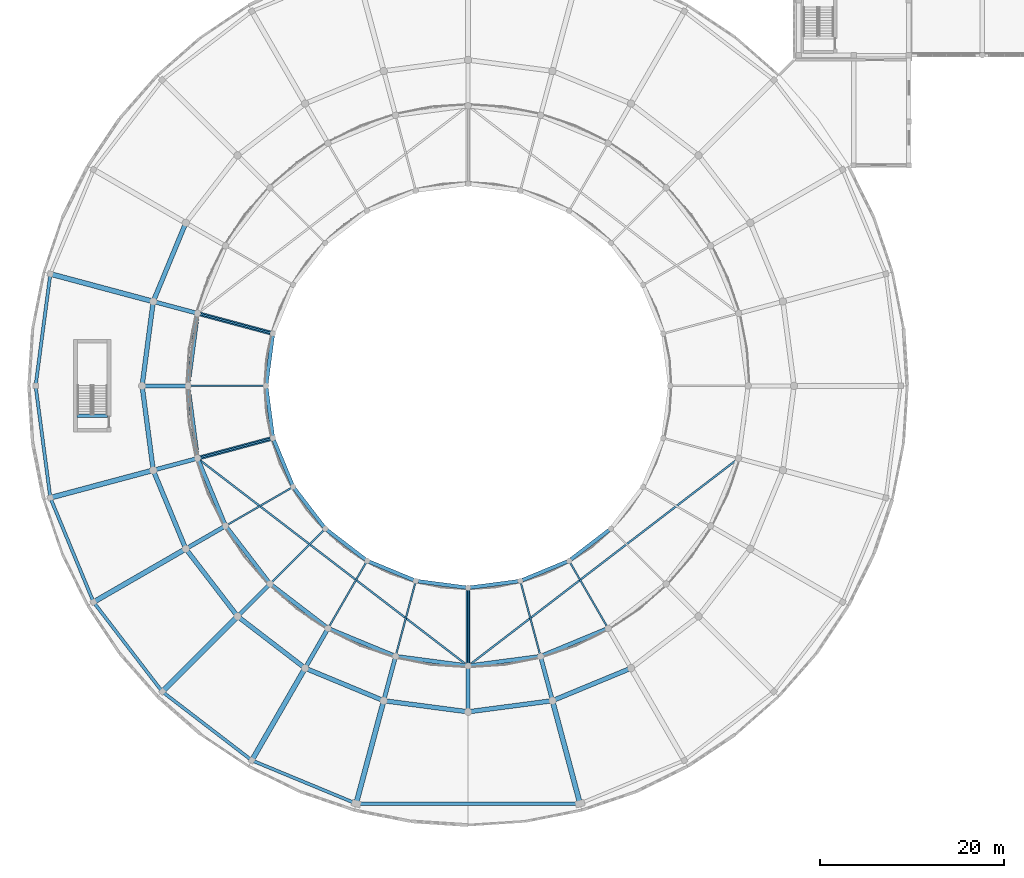
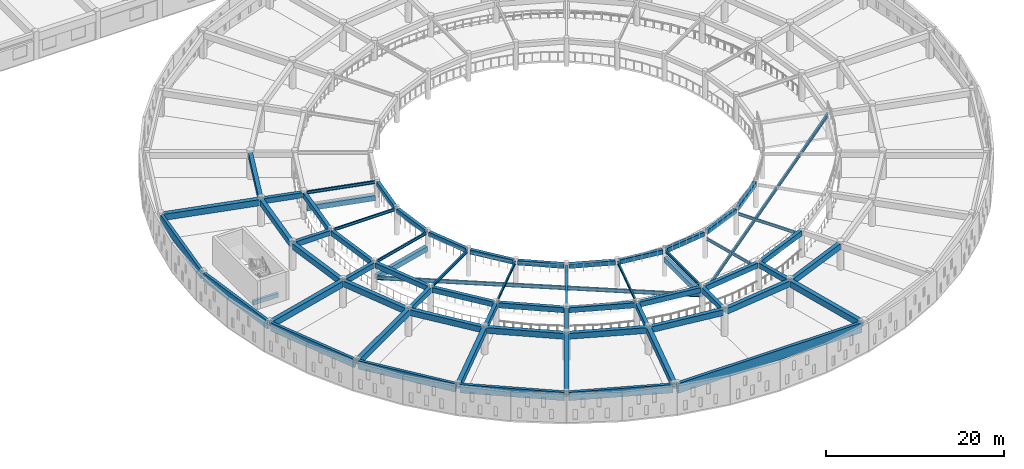
# One storey, part 10 of 98: 68 beams.
"""IFC4 building model written with IfcOpenShell, lengths in metres."""

from ifc_helpers import new_model, si_unit, direction, frame, origin, origin_2d, place, context, subcontext, project, spatial, rectangle, i_section, extrude, material, material_profile, profile_set, type_object, element, save


model = new_model("IFC4")

# Units and contexts
model_context = context("Model", 3, precision=1e-05, world=origin(), true_north=direction((0.0, 1.0)))
body_context = subcontext(model_context, "Body", "Model", "MODEL_VIEW")
ifc_project = project(units=[si_unit("LENGTHUNIT", "METRE"), si_unit("AREAUNIT", "SQUARE_METRE"), si_unit("VOLUMEUNIT", "CUBIC_METRE"), si_unit("PLANEANGLEUNIT", "RADIAN"), si_unit("MASSUNIT", "GRAM", prefix="KILO")], contexts=[model_context])

# Site, building, storey
site_placement = place(None, origin())
site = spatial("IfcSite", under=ifc_project, at=site_placement, CompositionType="ELEMENT")
building_placement = place(site_placement, origin())
building = spatial("IfcBuilding", under=site, at=building_placement, Name="Larkveld Mobility Hub", CompositionType="ELEMENT")
storey_placement = place(building_placement, frame((0.0, 0.0, 4.5)))
storey = spatial("IfcBuildingStorey", under=building, at=storey_placement, Name="L01", CompositionType="ELEMENT", Elevation=4.5)

# Beams
ifc_material_1 = material(Name="Concrete C40/50", Category="concrete")
ifc_material_profile_1 = material_profile(ifc_material_1, rectangle(XDim=0.35009765625, YDim=0.550048828125, at=origin_2d()), Name="RC BM 350x550")
ifc_profile_set_1 = profile_set([ifc_material_profile_1], Name="Concrete C40/50")
beam_type_1 = type_object("IfcBeamType", Name="BM-RC3555", PredefinedType="BEAM", material=ifc_profile_set_1)
beam_1_placement = place(storey_placement, frame((5.429931640625, 44.739990234375, -0.27001953125), z_axis=(1.0, 0.0, 0.0), x_axis=(0.0, 1.0, 0.0)))
element("IfcBeam", 1, at=beam_1_placement, inside=storey, type_object=beam_type_1, Name="Core C7 Stair Header Beam L01", PredefinedType="BEAM", context=body_context, shape_type="SweptSolid", body=[
    extrude(rectangle(XDim=0.35009765625, YDim=0.550048828125, at=origin_2d()), origin(), (0.0, 0.0, 1.0), 3.2900390625),
])
ifc_material_profile_2 = material_profile(ifc_material_1, rectangle(XDim=0.39990234375, YDim=0.60009765625, at=origin_2d()), Name="RC BM 400x600")
ifc_profile_set_2 = profile_set([ifc_material_profile_2], Name="Concrete C40/50")
beam_type_2 = type_object("IfcBeamType", Name="BM-RC4060", PredefinedType="BEAM", material=ifc_profile_set_2)
for number, where, z_axis, x_axis, name in (
    (2, (26.718994140625, 53.4560546875, 3.3349609375), (-0.130717291413, -0.991419683951, 0.0), (0.991419683951, -0.130717291413, 0.0), "Drum Chord Ring Beam L01-1498"),
    (3, (26.031005859375, 47.761962890625, 3.3349609375), (0.130717291413, -0.991419683951, 0.0), (0.991419683951, 0.130717291413, 0.0), "Drum Chord Ring Beam L01-1502"),
):
    element("IfcBeam", number, at=place(storey_placement, frame(where, z_axis=z_axis, x_axis=x_axis)), inside=storey, type_object=beam_type_2, Name=name, PredefinedType="BEAM", context=body_context, shape_type="SweptSolid", body=[
        extrude(rectangle(XDim=0.39990234375, YDim=0.60009765625, at=origin_2d()), origin(), (0.0, 0.0, 1.0), 5.26318359375),
    ])
beam_2_placement = place(storey_placement, frame((26.842041015625, 42.083984375, 3.3349609375), z_axis=(0.382522527323, -0.923946165147, 0.0), x_axis=(0.923946165147, 0.382522527323, 0.0)))
element("IfcBeam", 4, at=beam_2_placement, inside=storey, type_object=beam_type_2, Name="Drum Chord Ring Beam L01-1506", PredefinedType="BEAM", context=body_context, shape_type="SweptSolid", body=[
    extrude(rectangle(XDim=0.39990234375, YDim=0.60009765625, at=origin_2d()), origin(), (0.0, 0.0, 1.0), 5.26220703125),
])
for number, where, z_axis, x_axis, name in (
    (5, (29.093017578125, 36.81005859375, 3.3349609375), (0.608845256975, -0.793289009793, 0.0), (0.793289009793, 0.608845256975, 0.0), "Drum Chord Ring Beam L01-1510"),
    (6, (32.634033203125, 32.298095703125, 3.3349609375), (0.793289009793, -0.608845256975, 0.0), (0.608845256975, 0.793289009793, 0.0), "Drum Chord Ring Beam L01-1514"),
):
    element("IfcBeam", number, at=place(storey_placement, frame(where, z_axis=z_axis, x_axis=x_axis)), inside=storey, type_object=beam_type_2, Name=name, PredefinedType="BEAM", context=body_context, shape_type="SweptSolid", body=[
        extrude(rectangle(XDim=0.39990234375, YDim=0.60009765625, at=origin_2d()), origin(), (0.0, 0.0, 1.0), 5.26416015625),
    ])
beam_3_placement = place(storey_placement, frame((37.221923828125, 28.85498046875, 3.3349609375), z_axis=(0.923946165147, -0.382522527323, 0.0), x_axis=(0.382522527323, 0.923946165147, 0.0)))
element("IfcBeam", 7, at=beam_3_placement, inside=storey, type_object=beam_type_2, Name="Drum Chord Ring Beam L01-1518", PredefinedType="BEAM", context=body_context, shape_type="SweptSolid", body=[
    extrude(rectangle(XDim=0.39990234375, YDim=0.60009765625, at=origin_2d()), origin(), (0.0, 0.0, 1.0), 5.26220703125),
])
for number, where, z_axis, x_axis, name in (
    (8, (42.5439453125, 26.718994140625, 3.3349609375), (0.991419683951, -0.130717291413, 0.0), (0.130717291413, 0.991419683951, 0.0), "Drum Chord Ring Beam L01-1522"),
    (9, (48.238037109375, 26.031005859375, 3.3349609375), (0.991419683951, 0.130717291413, 0.0), (-0.130717291413, 0.991419683951, 0.0), "Drum Chord Ring Beam L01-1526"),
):
    element("IfcBeam", number, at=place(storey_placement, frame(where, z_axis=z_axis, x_axis=x_axis)), inside=storey, type_object=beam_type_2, Name=name, PredefinedType="BEAM", context=body_context, shape_type="SweptSolid", body=[
        extrude(rectangle(XDim=0.39990234375, YDim=0.60009765625, at=origin_2d()), origin(), (0.0, 0.0, 1.0), 5.26318359375),
    ])
beam_4_placement = place(storey_placement, frame((53.916015625, 26.842041015625, 3.3349609375), z_axis=(0.923946165147, 0.382522527323, 0.0), x_axis=(-0.382522527323, 0.923946165147, 0.0)))
element("IfcBeam", 10, at=beam_4_placement, inside=storey, type_object=beam_type_2, Name="Drum Chord Ring Beam L01-1529", PredefinedType="BEAM", context=body_context, shape_type="SweptSolid", body=[
    extrude(rectangle(XDim=0.39990234375, YDim=0.60009765625, at=origin_2d()), origin(), (0.0, 0.0, 1.0), 5.26220703125),
])
beam_5_placement = place(storey_placement, frame((59.18994140625, 29.093017578125, 3.3349609375), z_axis=(0.793289009793, 0.608845256975, 0.0), x_axis=(-0.608845256975, 0.793289009793, 0.0)))
element("IfcBeam", 11, at=beam_5_placement, inside=storey, type_object=beam_type_2, Name="Drum Chord Ring Beam L01-1533", PredefinedType="BEAM", context=body_context, shape_type="SweptSolid", body=[
    extrude(rectangle(XDim=0.39990234375, YDim=0.60009765625, at=origin_2d()), origin(), (0.0, 0.0, 1.0), 5.26416015625),
])
ifc_material_profile_3 = material_profile(ifc_material_1, rectangle(XDim=0.449951171875, YDim=0.699951171875, at=origin_2d()), Name="RC BM 450x700")
ifc_profile_set_3 = profile_set([ifc_material_profile_3], Name="Concrete C40/50")
beam_type_3 = type_object("IfcBeamType", Name="BM-RC4570", PredefinedType="BEAM", material=ifc_profile_set_3)
beam_6_placement = place(storey_placement, frame((18.306884765625, 55.9560546875, 3.284912109375), z_axis=(-0.96590777444, 0.258886406125, 0.0), x_axis=(-0.258886406125, -0.96590777444, 0.0)))
element("IfcBeam", 12, at=beam_6_placement, inside=storey, type_object=beam_type_3, Name="Drum Radial Girder L01-1418", PredefinedType="BEAM", context=body_context, shape_type="SweptSolid", body=[
    extrude(rectangle(XDim=0.449951171875, YDim=0.699951171875, at=origin_2d()), origin(), (0.0, 0.0, 1.0), 4.51904296875),
])
beam_7_placement = place(storey_placement, frame((17.260009765625, 48.0, 3.284912109375), z_axis=(-1.0, 0.0, 0.0), x_axis=(0.0, -1.0, 0.0)))
element("IfcBeam", 13, at=beam_7_placement, inside=storey, type_object=beam_type_3, Name="Drum Radial Girder L01-1421", PredefinedType="BEAM", context=body_context, shape_type="SweptSolid", body=[
    extrude(rectangle(XDim=0.449951171875, YDim=0.699951171875, at=origin_2d()), origin(), (0.0, 0.0, 1.0), 4.52001953125),
])
beam_8_placement = place(storey_placement, frame((18.306884765625, 40.0439453125, 3.284912109375), z_axis=(-0.96590777444, -0.258886406125, 0.0), x_axis=(0.258886406125, -0.96590777444, 0.0)))
element("IfcBeam", 14, at=beam_8_placement, inside=storey, type_object=beam_type_3, Name="Drum Radial Girder L01-1423", PredefinedType="BEAM", context=body_context, shape_type="SweptSolid", body=[
    extrude(rectangle(XDim=0.449951171875, YDim=0.699951171875, at=origin_2d()), origin(), (0.0, 0.0, 1.0), 4.51904296875),
])
beam_9_placement = place(storey_placement, frame((21.3779296875, 32.6298828125, 3.284912109375), z_axis=(-0.86601375827, -0.50002017008, 0.0), x_axis=(0.50002017008, -0.86601375827, 0.0)))
element("IfcBeam", 15, at=beam_9_placement, inside=storey, type_object=beam_type_3, Name="Drum Radial Girder L01-1426", PredefinedType="BEAM", context=body_context, shape_type="SweptSolid", body=[
    extrude(rectangle(XDim=0.449951171875, YDim=0.699951171875, at=origin_2d()), origin(), (0.0, 0.0, 1.0), 4.519287109375),
])
beam_10_placement = place(storey_placement, frame((26.262939453125, 26.262939453125, 3.284912109375), z_axis=(-0.707106781187, -0.707106781187, 0.0), x_axis=(0.707106781187, -0.707106781187, 0.0)))
element("IfcBeam", 16, at=beam_10_placement, inside=storey, type_object=beam_type_3, Name="Drum Radial Girder L01-1429", PredefinedType="BEAM", context=body_context, shape_type="SweptSolid", body=[
    extrude(rectangle(XDim=0.449951171875, YDim=0.699951171875, at=origin_2d()), origin(), (0.0, 0.0, 1.0), 4.51806640625),
])
beam_11_placement = place(storey_placement, frame((32.6298828125, 21.3779296875, 3.284912109375), z_axis=(-0.50002017008, -0.86601375827, 0.0), x_axis=(0.86601375827, -0.50002017008, 0.0)))
element("IfcBeam", 17, at=beam_11_placement, inside=storey, type_object=beam_type_3, Name="Drum Radial Girder L01-1432", PredefinedType="BEAM", context=body_context, shape_type="SweptSolid", body=[
    extrude(rectangle(XDim=0.449951171875, YDim=0.699951171875, at=origin_2d()), origin(), (0.0, 0.0, 1.0), 4.519287109375),
])
beam_12_placement = place(storey_placement, frame((40.0439453125, 18.306884765625, 3.284912109375), z_axis=(-0.258886406125, -0.96590777444, 0.0), x_axis=(0.96590777444, -0.258886406125, 0.0)))
element("IfcBeam", 18, at=beam_12_placement, inside=storey, type_object=beam_type_3, Name="Drum Radial Girder L01-1435", PredefinedType="BEAM", context=body_context, shape_type="SweptSolid", body=[
    extrude(rectangle(XDim=0.449951171875, YDim=0.699951171875, at=origin_2d()), origin(), (0.0, 0.0, 1.0), 4.51904296875),
])
beam_13_placement = place(storey_placement, frame((48.0, 17.260009765625, 3.284912109375), z_axis=(0.0, -1.0, 0.0), x_axis=(1.0, 0.0, 0.0)))
element("IfcBeam", 19, at=beam_13_placement, inside=storey, type_object=beam_type_3, Name="Drum Radial Girder L01-1438", PredefinedType="BEAM", context=body_context, shape_type="SweptSolid", body=[
    extrude(rectangle(XDim=0.449951171875, YDim=0.699951171875, at=origin_2d()), origin(), (0.0, 0.0, 1.0), 4.52001953125),
])
beam_14_placement = place(storey_placement, frame((55.9560546875, 18.306884765625, 3.284912109375), z_axis=(0.258886406125, -0.96590777444, 0.0), x_axis=(0.96590777444, 0.258886406125, 0.0)))
element("IfcBeam", 20, at=beam_14_placement, inside=storey, type_object=beam_type_3, Name="Drum Radial Girder L01-1440", PredefinedType="BEAM", context=body_context, shape_type="SweptSolid", body=[
    extrude(rectangle(XDim=0.449951171875, YDim=0.699951171875, at=origin_2d()), origin(), (0.0, 0.0, 1.0), 4.51904296875),
])
for number, where, z_axis, x_axis, name in (
    (21, (18.508056640625, 55.656005859375, 3.284912109375), (-0.1305861874, -0.991436961012, 0.0), (0.991436961012, -0.1305861874, 0.0), "Drum Chord Ring Beam L01-1499"),
    (22, (17.531005859375, 47.761962890625, 3.284912109375), (0.1305861874, -0.991436961012, 0.0), (0.991436961012, 0.1305861874, 0.0), "Drum Chord Ring Beam L01-1503"),
):
    element("IfcBeam", number, at=place(storey_placement, frame(where, z_axis=z_axis, x_axis=x_axis)), inside=storey, type_object=beam_type_3, Name=name, PredefinedType="BEAM", context=body_context, shape_type="SweptSolid", body=[
        extrude(rectangle(XDim=0.449951171875, YDim=0.699951171875, at=origin_2d()), origin(), (0.0, 0.0, 1.0), 7.48193359375),
    ])
beam_15_placement = place(storey_placement, frame((18.631103515625, 39.884033203125, 3.284912109375), z_axis=(0.382649607255, -0.923893542605, 0.0), x_axis=(0.923893542605, 0.382649607255, 0.0)))
element("IfcBeam", 23, at=beam_15_placement, inside=storey, type_object=beam_type_3, Name="Drum Chord Ring Beam L01-1507", PredefinedType="BEAM", context=body_context, shape_type="SweptSolid", body=[
    extrude(rectangle(XDim=0.449951171875, YDim=0.699951171875, at=origin_2d()), origin(), (0.0, 0.0, 1.0), 7.4814453125),
])
for number, where, z_axis, x_axis, name in (
    (24, (21.73193359375, 32.56005859375, 3.284912109375), (0.608723281143, -0.793382610721, 0.0), (0.793382610721, 0.608723281143, 0.0), "Drum Chord Ring Beam L01-1511"),
    (25, (26.623046875, 26.287109375, 3.284912109375), (0.793382610721, -0.608723281143, 0.0), (0.608723281143, 0.793382610721, 0.0), "Drum Chord Ring Beam L01-1515"),
):
    element("IfcBeam", number, at=place(storey_placement, frame(where, z_axis=z_axis, x_axis=x_axis)), inside=storey, type_object=beam_type_3, Name=name, PredefinedType="BEAM", context=body_context, shape_type="SweptSolid", body=[
        extrude(rectangle(XDim=0.449951171875, YDim=0.699951171875, at=origin_2d()), origin(), (0.0, 0.0, 1.0), 7.483154296875),
    ])
beam_16_placement = place(storey_placement, frame((32.971923828125, 21.493896484375, 3.284912109375), z_axis=(0.923893542605, -0.382649607255, 0.0), x_axis=(0.382649607255, 0.923893542605, 0.0)))
element("IfcBeam", 26, at=beam_16_placement, inside=storey, type_object=beam_type_3, Name="Drum Chord Ring Beam L01-1519", PredefinedType="BEAM", context=body_context, shape_type="SweptSolid", body=[
    extrude(rectangle(XDim=0.449951171875, YDim=0.699951171875, at=origin_2d()), origin(), (0.0, 0.0, 1.0), 7.4814453125),
])
for number, where, z_axis, x_axis, name in (
    (27, (40.343994140625, 18.508056640625, 3.284912109375), (0.991436961012, -0.1305861874, 0.0), (0.1305861874, 0.991436961012, 0.0), "Drum Chord Ring Beam L01-1523"),
    (28, (48.238037109375, 17.531005859375, 3.284912109375), (0.991436961012, 0.1305861874, 0.0), (-0.1305861874, 0.991436961012, 0.0), "Drum Chord Ring Beam L01-1527"),
):
    element("IfcBeam", number, at=place(storey_placement, frame(where, z_axis=z_axis, x_axis=x_axis)), inside=storey, type_object=beam_type_3, Name=name, PredefinedType="BEAM", context=body_context, shape_type="SweptSolid", body=[
        extrude(rectangle(XDim=0.449951171875, YDim=0.699951171875, at=origin_2d()), origin(), (0.0, 0.0, 1.0), 7.48193359375),
    ])
beam_17_placement = place(storey_placement, frame((56.115966796875, 18.631103515625, 3.284912109375), z_axis=(0.923893542605, 0.382649607255, 0.0), x_axis=(-0.382649607255, 0.923893542605, 0.0)))
element("IfcBeam", 29, at=beam_17_placement, inside=storey, type_object=beam_type_3, Name="Drum Chord Ring Beam L01-1530", PredefinedType="BEAM", context=body_context, shape_type="SweptSolid", body=[
    extrude(rectangle(XDim=0.449951171875, YDim=0.699951171875, at=origin_2d()), origin(), (0.0, 0.0, 1.0), 7.4814453125),
])
for number, where, z_axis, x_axis, name in (
    (30, (26.47998046875, 53.76611328125, 1.35498046875), (-0.965910174028, 0.258877453071, 0.0), (-0.258877453071, -0.965910174028, 0.0), "Helical Ramp Radial Support Girder L01-1758"),
    (31, (26.47998046875, 42.23388671875, 1.35498046875), (-0.965910174028, -0.258877453071, 0.0), (0.258877453071, -0.965910174028, 0.0), "Helical Ramp Radial Support Girder L01-1759"),
):
    element("IfcBeam", number, at=place(storey_placement, frame(where, z_axis=z_axis, x_axis=x_axis)), inside=storey, type_object=beam_type_3, Name=name, PredefinedType="BEAM", context=body_context, shape_type="SweptSolid", body=[
        extrude(rectangle(XDim=0.449951171875, YDim=0.699951171875, at=origin_2d()), origin(), (0.0, 0.0, 1.0), 7.941650390625),
    ])
beam_18_placement = place(storey_placement, frame((48.0, 25.719970703125, 2.330078125), z_axis=(0.0, -1.0, 0.0), x_axis=(1.0, 0.0, 0.0)))
element("IfcBeam", 32, at=beam_18_placement, inside=storey, type_object=beam_type_3, Name="Helical Ramp Radial Support Girder L01-1760", PredefinedType="BEAM", context=body_context, shape_type="SweptSolid", body=[
    extrude(rectangle(XDim=0.449951171875, YDim=0.699951171875, at=origin_2d()), origin(), (0.0, 0.0, 1.0), 7.93994140625),
])
ifc_material_profile_4 = material_profile(ifc_material_1, rectangle(XDim=0.5, YDim=0.800048828125, at=origin_2d()), Name="RC BM 500x800")
ifc_profile_set_4 = profile_set([ifc_material_profile_4], Name="Concrete C40/50")
beam_type_4 = type_object("IfcBeamType", Name="BM-RC5080", PredefinedType="BEAM", material=ifc_profile_set_4)
beam_19_placement = place(storey_placement, frame((17.1640625, 65.528076171875, 3.235107421875), z_axis=(-0.382625816799, -0.923903395556, 0.0), x_axis=(0.923903395556, -0.382625816799, 0.0)))
element("IfcBeam", 33, at=beam_19_placement, inside=storey, type_object=beam_type_4, Name="Drum Chord Ring Beam L01-1496", PredefinedType="BEAM", context=body_context, shape_type="SweptSolid", body=[
    extrude(rectangle(XDim=0.5, YDim=0.800048828125, at=origin_2d()), origin(), (0.0, 0.0, 1.0), 8.786865234375),
])
for number, where, z_axis, x_axis, name in (
    (34, (13.678955078125, 56.949951171875, 3.235107421875), (-0.130638498674, -0.991430069478, 0.0), (0.991430069478, -0.130638498674, 0.0), "Drum Chord Ring Beam L01-1500"),
    (35, (12.531005859375, 47.761962890625, 3.235107421875), (0.130638498674, -0.991430069478, 0.0), (0.991430069478, 0.130638498674, 0.0), "Drum Chord Ring Beam L01-1504"),
):
    element("IfcBeam", number, at=place(storey_placement, frame(where, z_axis=z_axis, x_axis=x_axis)), inside=storey, type_object=beam_type_4, Name=name, PredefinedType="BEAM", context=body_context, shape_type="SweptSolid", body=[
        extrude(rectangle(XDim=0.5, YDim=0.800048828125, at=origin_2d()), origin(), (0.0, 0.0, 1.0), 8.787109375),
    ])
beam_20_placement = place(storey_placement, frame((13.802001953125, 38.590087890625, 3.235107421875), z_axis=(0.382625816799, -0.923903395556, 0.0), x_axis=(0.923903395556, 0.382625816799, 0.0)))
element("IfcBeam", 36, at=beam_20_placement, inside=storey, type_object=beam_type_4, Name="Drum Chord Ring Beam L01-1508", PredefinedType="BEAM", context=body_context, shape_type="SweptSolid", body=[
    extrude(rectangle(XDim=0.5, YDim=0.800048828125, at=origin_2d()), origin(), (0.0, 0.0, 1.0), 8.786865234375),
])
for number, where, z_axis, x_axis, name in (
    (37, (17.402099609375, 30.06005859375, 3.235107421875), (0.608755761591, -0.793357689021, 0.0), (0.793357689021, 0.608755761591, 0.0), "Drum Chord Ring Beam L01-1512"),
    (38, (23.087890625, 22.751953125, 3.235107421875), (0.793357689021, -0.608755761591, 0.0), (0.608755761591, 0.793357689021, 0.0), "Drum Chord Ring Beam L01-1516"),
):
    element("IfcBeam", number, at=place(storey_placement, frame(where, z_axis=z_axis, x_axis=x_axis)), inside=storey, type_object=beam_type_4, Name=name, PredefinedType="BEAM", context=body_context, shape_type="SweptSolid", body=[
        extrude(rectangle(XDim=0.5, YDim=0.800048828125, at=origin_2d()), origin(), (0.0, 0.0, 1.0), 8.7880859375),
    ])
beam_21_placement = place(storey_placement, frame((30.471923828125, 17.1640625, 3.235107421875), z_axis=(0.923903395556, -0.382625816799, 0.0), x_axis=(0.382625816799, 0.923903395556, 0.0)))
element("IfcBeam", 39, at=beam_21_placement, inside=storey, type_object=beam_type_4, Name="Drum Chord Ring Beam L01-1520", PredefinedType="BEAM", context=body_context, shape_type="SweptSolid", body=[
    extrude(rectangle(XDim=0.5, YDim=0.800048828125, at=origin_2d()), origin(), (0.0, 0.0, 1.0), 8.786865234375),
])
for number, where, z_axis, x_axis, name in (
    (40, (39.050048828125, 13.678955078125, 3.235107421875), (0.991430069478, -0.130638498674, 0.0), (0.130638498674, 0.991430069478, 0.0), "Drum Chord Ring Beam L01-1524"),
    (41, (48.238037109375, 12.531005859375, 3.235107421875), (0.991430069478, 0.130638498674, 0.0), (-0.130638498674, 0.991430069478, 0.0), "Drum Chord Ring Beam L01-1528"),
):
    element("IfcBeam", number, at=place(storey_placement, frame(where, z_axis=z_axis, x_axis=x_axis)), inside=storey, type_object=beam_type_4, Name=name, PredefinedType="BEAM", context=body_context, shape_type="SweptSolid", body=[
        extrude(rectangle(XDim=0.5, YDim=0.800048828125, at=origin_2d()), origin(), (0.0, 0.0, 1.0), 8.787109375),
    ])
beam_22_placement = place(storey_placement, frame((57.409912109375, 13.802001953125, 3.235107421875), z_axis=(0.923903395556, 0.382625816799, 0.0), x_axis=(-0.382625816799, 0.923903395556, 0.0)))
element("IfcBeam", 42, at=beam_22_placement, inside=storey, type_object=beam_type_4, Name="Drum Chord Ring Beam L01-1531", PredefinedType="BEAM", context=body_context, shape_type="SweptSolid", body=[
    extrude(rectangle(XDim=0.5, YDim=0.800048828125, at=origin_2d()), origin(), (0.0, 0.0, 1.0), 8.786865234375),
])
ifc_material_profile_5 = material_profile(ifc_material_1, rectangle(XDim=0.550048828125, YDim=0.85009765625, at=origin_2d()), Name="RC BM 550x850")
ifc_profile_set_5 = profile_set([ifc_material_profile_5], Name="Concrete C40/50")
beam_type_5 = type_object("IfcBeamType", Name="BM-RC5585", PredefinedType="BEAM", material=ifc_profile_set_5)
for number, where, z_axis, x_axis, name in (
    (43, (13.47802734375, 57.25, 3.2099609375), (-0.965928157481, 0.258810344821, 0.0), (-0.258810344821, -0.965928157481, 0.0), "Drum Radial Girder L01-1419"),
    (44, (13.47802734375, 38.75, 3.2099609375), (-0.965928157481, -0.258810344821, 0.0), (0.258810344821, -0.965928157481, 0.0), "Drum Radial Girder L01-1424"),
    (45, (17.048095703125, 30.1298828125, 3.2099609375), (-0.866030930781, -0.499990426839, 0.0), (0.499990426839, -0.866030930781, 0.0), "Drum Radial Girder L01-1427"),
):
    element("IfcBeam", number, at=place(storey_placement, frame(where, z_axis=z_axis, x_axis=x_axis)), inside=storey, type_object=beam_type_5, Name=name, PredefinedType="BEAM", context=body_context, shape_type="SweptSolid", body=[
        extrude(rectangle(XDim=0.550048828125, YDim=0.85009765625, at=origin_2d()), origin(), (0.0, 0.0, 1.0), 11.119873046875),
    ])
beam_23_placement = place(storey_placement, frame((22.72802734375, 22.72802734375, 3.2099609375), z_axis=(-0.707106781187, -0.707106781187, 0.0), x_axis=(0.707106781187, -0.707106781187, 0.0)))
element("IfcBeam", 46, at=beam_23_placement, inside=storey, type_object=beam_type_5, Name="Drum Radial Girder L01-1430", PredefinedType="BEAM", context=body_context, shape_type="SweptSolid", body=[
    extrude(rectangle(XDim=0.550048828125, YDim=0.85009765625, at=origin_2d()), origin(), (0.0, 0.0, 1.0), 11.1201171875),
])
for number, where, z_axis, x_axis, name in (
    (47, (30.1298828125, 17.048095703125, 3.2099609375), (-0.499990426839, -0.866030930781, 0.0), (0.866030930781, -0.499990426839, 0.0), "Drum Radial Girder L01-1433"),
    (48, (38.75, 13.47802734375, 3.2099609375), (-0.258810344821, -0.965928157481, 0.0), (0.965928157481, -0.258810344821, 0.0), "Drum Radial Girder L01-1436"),
    (49, (57.25, 13.47802734375, 3.2099609375), (0.258810344821, -0.965928157481, 0.0), (0.965928157481, 0.258810344821, 0.0), "Drum Radial Girder L01-1441"),
):
    element("IfcBeam", number, at=place(storey_placement, frame(where, z_axis=z_axis, x_axis=x_axis)), inside=storey, type_object=beam_type_5, Name=name, PredefinedType="BEAM", context=body_context, shape_type="SweptSolid", body=[
        extrude(rectangle(XDim=0.550048828125, YDim=0.85009765625, at=origin_2d()), origin(), (0.0, 0.0, 1.0), 11.119873046875),
    ])
ifc_material_2 = material(Name="Precast concrete C50/60", Category="concrete")
ifc_material_profile_6 = material_profile(ifc_material_2, rectangle(XDim=0.35009765625, YDim=1.14990234375, at=origin_2d()), Name="PC SP 350x1150")
ifc_profile_set_6 = profile_set([ifc_material_profile_6], Name="Precast concrete C50/60")
beam_type_6 = type_object("IfcBeamType", Name="BM-SP35115", PredefinedType="SPANDREL", material=ifc_profile_set_6)
for number, where, z_axis, x_axis, name in (
    (50, (2.47412109375, 59.951904296875, 3.06005859375), (-0.130613798255, -0.991433323883, 0.0), (0.991433323883, -0.130613798255, 0.0), "Drum Chord Ring Beam L01-1501"),
    (51, (0.930908203125, 47.761962890625, 3.06005859375), (0.130613798255, -0.991433323883, 0.0), (0.991433323883, 0.130613798255, 0.0), "Drum Chord Ring Beam L01-1505"),
):
    element("IfcBeam", number, at=place(storey_placement, frame(where, z_axis=z_axis, x_axis=x_axis)), inside=storey, type_object=beam_type_6, Name=name, PredefinedType="SPANDREL", context=body_context, shape_type="SweptSolid", body=[
        extrude(rectangle(XDim=0.35009765625, YDim=1.14990234375, at=origin_2d()), origin(), (0.0, 0.0, 1.0), 11.815185546875),
    ])
beam_24_placement = place(storey_placement, frame((2.596923828125, 35.587890625, 3.06005859375), z_axis=(0.38264987514, -0.923893431655, 0.0), x_axis=(0.923893431655, 0.38264987514, 0.0)))
element("IfcBeam", 52, at=beam_24_placement, inside=storey, type_object=beam_type_6, Name="Drum Chord Ring Beam L01-1509", PredefinedType="SPANDREL", context=body_context, shape_type="SweptSolid", body=[
    extrude(rectangle(XDim=0.35009765625, YDim=1.14990234375, at=origin_2d()), origin(), (0.0, 0.0, 1.0), 11.81494140625),
])
for number, where, z_axis, x_axis, name in (
    (53, (7.35595703125, 24.260009765625, 3.06005859375), (0.608730786402, -0.79337685225, 0.0), (0.79337685225, 0.608730786402, 0.0), "Drum Chord Ring Beam L01-1513"),
    (54, (14.885009765625, 14.549072265625, 3.06005859375), (0.79337685225, -0.608730786402, 0.0), (0.608730786402, 0.79337685225, 0.0), "Drum Chord Ring Beam L01-1517"),
):
    element("IfcBeam", number, at=place(storey_placement, frame(where, z_axis=z_axis, x_axis=x_axis)), inside=storey, type_object=beam_type_6, Name=name, PredefinedType="SPANDREL", context=body_context, shape_type="SweptSolid", body=[
        extrude(rectangle(XDim=0.35009765625, YDim=1.14990234375, at=origin_2d()), origin(), (0.0, 0.0, 1.0), 11.816650390625),
    ])
beam_25_placement = place(storey_placement, frame((24.672119140625, 7.117919921875, 3.06005859375), z_axis=(0.923893431655, -0.38264987514, 0.0), x_axis=(0.38264987514, 0.923893431655, 0.0)))
element("IfcBeam", 55, at=beam_25_placement, inside=storey, type_object=beam_type_6, Name="Drum Chord Ring Beam L01-1521", PredefinedType="SPANDREL", context=body_context, shape_type="SweptSolid", body=[
    extrude(rectangle(XDim=0.35009765625, YDim=1.14990234375, at=origin_2d()), origin(), (0.0, 0.0, 1.0), 11.81494140625),
])
ifc_material_profile_7 = material_profile(ifc_material_2, rectangle(XDim=0.39990234375, YDim=1.35009765625, at=origin_2d()), Name="PC SP 400x1350")
ifc_profile_set_7 = profile_set([ifc_material_profile_7], Name="Precast concrete C50/60")
beam_type_7 = type_object("IfcBeamType", Name="BM-SP40135", PredefinedType="SPANDREL", material=ifc_profile_set_7)
beam_26_placement = place(storey_placement, frame((36.110107421875, 2.5048828125, 2.9599609375), z_axis=(1.0, 0.0, 0.0), x_axis=(0.0, 1.0, 0.0)))
element("IfcBeam", 56, at=beam_26_placement, inside=storey, type_object=beam_type_7, Name="Drum Portal Spandrel Girder L01-1525", PredefinedType="SPANDREL", context=body_context, shape_type="SweptSolid", body=[
    extrude(rectangle(XDim=0.39990234375, YDim=1.35009765625, at=origin_2d()), origin(), (0.0, 0.0, 1.0), 23.77978515625),
])
ifc_material_3 = material(Name="Steel S355JR", Category="steel")
ifc_material_profile_8 = material_profile(ifc_material_3, i_section(OverallWidth=0.179931640625, OverallDepth=0.39990234375, WebThickness=0.008544921875, FlangeThickness=0.013427734375, FilletRadius=0.02099609375, at=origin_2d()), Name="IPE 400")
ifc_profile_set_8 = profile_set([ifc_material_profile_8], Name="Steel S355JR")
beam_type_8 = type_object("IfcBeamType", Name="BM-STIPE400", PredefinedType="BEAM", material=ifc_profile_set_8)
beam_27_placement = place(storey_placement, frame((26.51806640625, 53.756103515625, 3.43505859375), z_axis=(-0.96592250653, 0.258831434294, 0.0), x_axis=(-0.258831434294, -0.96592250653, 0.0)))
element("IfcBeam", 57, at=beam_27_placement, inside=storey, type_object=beam_type_8, Name="Drum Radial Girder L01-1417", PredefinedType="BEAM", context=body_context, shape_type="SweptSolid", body=[
    extrude(i_section(OverallWidth=0.179931640625, OverallDepth=0.39990234375, WebThickness=0.008544921875, FlangeThickness=0.013427734375, FilletRadius=0.02099609375, at=origin_2d()), origin(), (0.0, 0.0, 1.0), 8.020263671875),
])
beam_28_placement = place(storey_placement, frame((25.760009765625, 48.0, 3.43505859375), z_axis=(-1.0, 0.0, 0.0), x_axis=(0.0, -1.0, 0.0)))
element("IfcBeam", 58, at=beam_28_placement, inside=storey, type_object=beam_type_8, Name="Drum Radial Girder L01-1420", PredefinedType="BEAM", context=body_context, shape_type="SweptSolid", body=[
    extrude(i_section(OverallWidth=0.179931640625, OverallDepth=0.39990234375, WebThickness=0.008544921875, FlangeThickness=0.013427734375, FilletRadius=0.02099609375, at=origin_2d()), origin(), (0.0, 0.0, 1.0), 8.02001953125),
])
beam_29_placement = place(storey_placement, frame((26.51806640625, 42.243896484375, 3.43505859375), z_axis=(-0.96592250653, -0.258831434294, 0.0), x_axis=(0.258831434294, -0.96592250653, 0.0)))
element("IfcBeam", 59, at=beam_29_placement, inside=storey, type_object=beam_type_8, Name="Drum Radial Girder L01-1422", PredefinedType="BEAM", context=body_context, shape_type="SweptSolid", body=[
    extrude(i_section(OverallWidth=0.179931640625, OverallDepth=0.39990234375, WebThickness=0.008544921875, FlangeThickness=0.013427734375, FilletRadius=0.02099609375, at=origin_2d()), origin(), (0.0, 0.0, 1.0), 8.020263671875),
])
beam_30_placement = place(storey_placement, frame((28.739013671875, 36.8798828125, 3.43505859375), z_axis=(-0.86602386286, -0.50000266895, 0.0), x_axis=(0.50000266895, -0.86602386286, 0.0)))
element("IfcBeam", 60, at=beam_30_placement, inside=storey, type_object=beam_type_8, Name="Drum Radial Girder L01-1425", PredefinedType="BEAM", context=body_context, shape_type="SweptSolid", body=[
    extrude(i_section(OverallWidth=0.179931640625, OverallDepth=0.39990234375, WebThickness=0.008544921875, FlangeThickness=0.013427734375, FilletRadius=0.02099609375, at=origin_2d()), origin(), (0.0, 0.0, 1.0), 8.01953125),
])
beam_31_placement = place(storey_placement, frame((32.27392578125, 32.27392578125, 3.43505859375), z_axis=(-0.707106781187, -0.707106781187, 0.0), x_axis=(0.707106781187, -0.707106781187, 0.0)))
element("IfcBeam", 61, at=beam_31_placement, inside=storey, type_object=beam_type_8, Name="Drum Radial Girder L01-1428", PredefinedType="BEAM", context=body_context, shape_type="SweptSolid", body=[
    extrude(i_section(OverallWidth=0.179931640625, OverallDepth=0.39990234375, WebThickness=0.008544921875, FlangeThickness=0.013427734375, FilletRadius=0.02099609375, at=origin_2d()), origin(), (0.0, 0.0, 1.0), 8.019775390625),
])
beam_32_placement = place(storey_placement, frame((36.8798828125, 28.739013671875, 3.43505859375), z_axis=(-0.50000266895, -0.86602386286, 0.0), x_axis=(0.86602386286, -0.50000266895, 0.0)))
element("IfcBeam", 62, at=beam_32_placement, inside=storey, type_object=beam_type_8, Name="Drum Radial Girder L01-1431", PredefinedType="BEAM", context=body_context, shape_type="SweptSolid", body=[
    extrude(i_section(OverallWidth=0.179931640625, OverallDepth=0.39990234375, WebThickness=0.008544921875, FlangeThickness=0.013427734375, FilletRadius=0.02099609375, at=origin_2d()), origin(), (0.0, 0.0, 1.0), 8.01953125),
])
beam_33_placement = place(storey_placement, frame((42.243896484375, 26.51806640625, 3.43505859375), z_axis=(-0.258831434294, -0.96592250653, 0.0), x_axis=(0.96592250653, -0.258831434294, 0.0)))
element("IfcBeam", 63, at=beam_33_placement, inside=storey, type_object=beam_type_8, Name="Drum Radial Girder L01-1434", PredefinedType="BEAM", context=body_context, shape_type="SweptSolid", body=[
    extrude(i_section(OverallWidth=0.179931640625, OverallDepth=0.39990234375, WebThickness=0.008544921875, FlangeThickness=0.013427734375, FilletRadius=0.02099609375, at=origin_2d()), origin(), (0.0, 0.0, 1.0), 8.020263671875),
])
beam_34_placement = place(storey_placement, frame((48.0, 25.760009765625, 3.43505859375), z_axis=(0.0, -1.0, 0.0), x_axis=(1.0, 0.0, 0.0)))
element("IfcBeam", 64, at=beam_34_placement, inside=storey, type_object=beam_type_8, Name="Drum Radial Girder L01-1437", PredefinedType="BEAM", context=body_context, shape_type="SweptSolid", body=[
    extrude(i_section(OverallWidth=0.179931640625, OverallDepth=0.39990234375, WebThickness=0.008544921875, FlangeThickness=0.013427734375, FilletRadius=0.02099609375, at=origin_2d()), origin(), (0.0, 0.0, 1.0), 8.02001953125),
])
beam_35_placement = place(storey_placement, frame((53.756103515625, 26.51806640625, 2.655029296875), z_axis=(0.258831434294, -0.96592250653, 0.0), x_axis=(0.96592250653, 0.258831434294, 0.0)))
element("IfcBeam", 65, at=beam_35_placement, inside=storey, type_object=beam_type_8, Name="Drum Radial Girder L01-1439", PredefinedType="BEAM", context=body_context, shape_type="SweptSolid", body=[
    extrude(i_section(OverallWidth=0.179931640625, OverallDepth=0.39990234375, WebThickness=0.008544921875, FlangeThickness=0.013427734375, FilletRadius=0.02099609375, at=origin_2d()), origin(), (0.0, 0.0, 1.0), 8.020263671875),
])
beam_36_placement = place(storey_placement, frame((59.1201171875, 28.739013671875, 2.85009765625), z_axis=(0.50000266895, -0.86602386286, 0.0), x_axis=(0.86602386286, 0.50000266895, 0.0)))
element("IfcBeam", 66, at=beam_36_placement, inside=storey, type_object=beam_type_8, Name="Drum Radial Girder L01-1442", PredefinedType="BEAM", context=body_context, shape_type="SweptSolid", body=[
    extrude(i_section(OverallWidth=0.179931640625, OverallDepth=0.39990234375, WebThickness=0.008544921875, FlangeThickness=0.013427734375, FilletRadius=0.02099609375, at=origin_2d()), origin(), (0.0, 0.0, 1.0), 8.01953125),
])
ifc_material_profile_9 = material_profile(ifc_material_3, i_section(OverallWidth=0.199951171875, OverallDepth=0.5, WebThickness=0.01025390625, FlangeThickness=0.01611328125, FilletRadius=0.02099609375, at=origin_2d()), Name="IPE 500")
ifc_profile_set_9 = profile_set([ifc_material_profile_9], Name="Steel S355JR")
beam_type_9 = type_object("IfcBeamType", Name="BM-STIPE500", PredefinedType="BEAM", material=ifc_profile_set_9)
for number, where, z_axis, x_axis, name in (
    (67, (18.760986328125, 39.93603515625, 1.405029296875), (0.793064869092, -0.608554210973, 0.026643680669), (0.608770328015, 0.793346511764, 0.0), "Helical Ramp Stringer Beam L01-1763"),
    (68, (48.221923828125, 17.669921875, 2.3798828125), (0.793064728081, 0.608554102769, 0.026650348528), (-0.608770328015, 0.793346511764, 0.0), "Helical Ramp Stringer Beam L01-1764"),
):
    element("IfcBeam", number, at=place(storey_placement, frame(where, z_axis=z_axis, x_axis=x_axis)), inside=storey, type_object=beam_type_9, Name=name, PredefinedType="BEAM", context=body_context, shape_type="SweptSolid", body=[
        extrude(i_section(OverallWidth=0.199951171875, OverallDepth=0.5, WebThickness=0.01025390625, FlangeThickness=0.01611328125, FilletRadius=0.02099609375, at=origin_2d()), origin(), (0.0, 0.0, 1.0), 36.588623046875),
    ])

save(model, "model.ifc")
